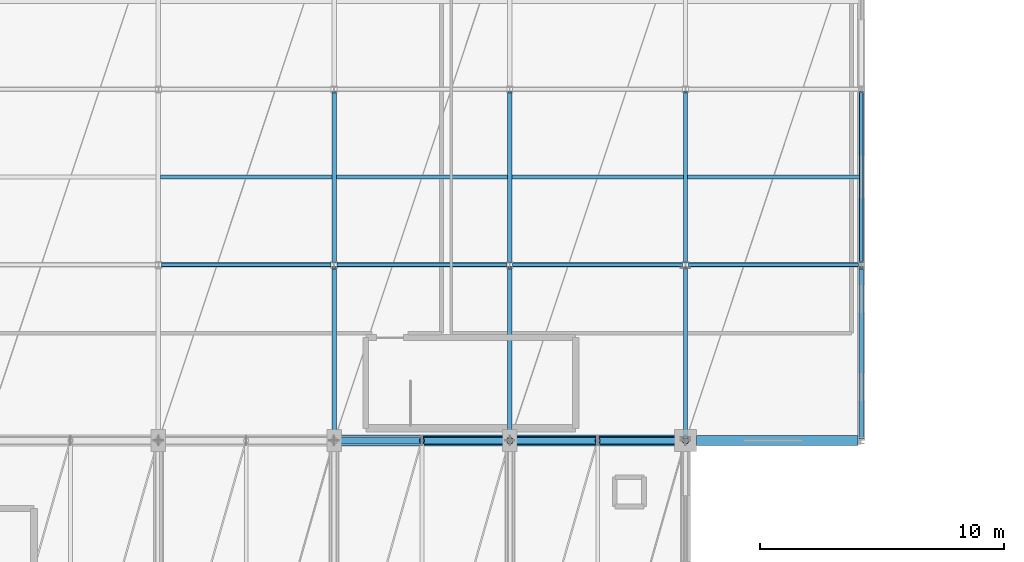
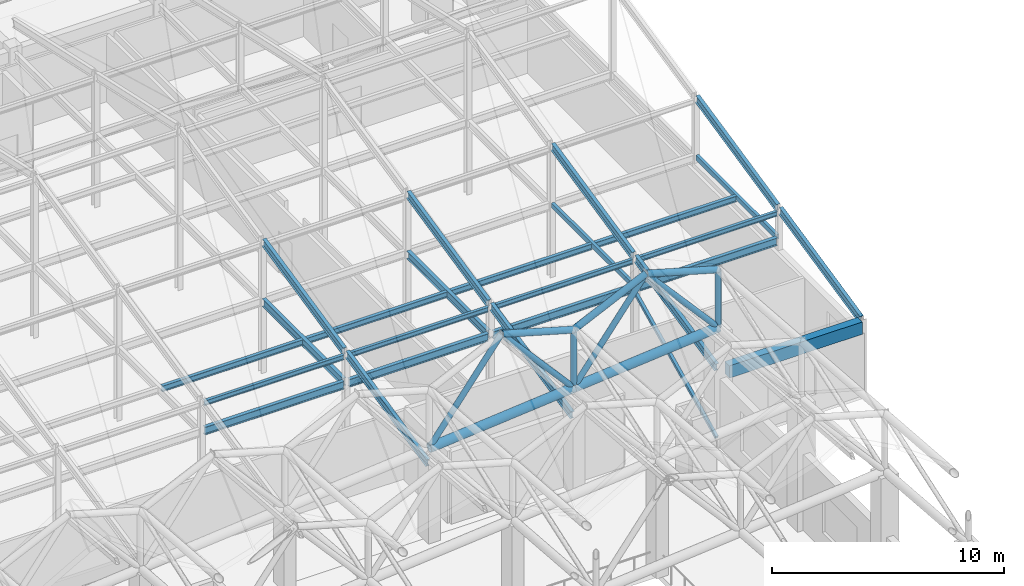
# One storey, part 27 of 113: 21 beams, 16 members.
"""IFC4 building model written with IfcOpenShell, lengths in metres."""

from ifc_helpers import new_model, si_unit, direction, frame, origin, origin_2d, place, context, subcontext, project, spatial, rectangle, hollow_rectangle, hollow_circle, i_section, extrude, material, material_profile, profile_set, type_object, element, save


model = new_model("IFC4")

# Units and contexts
model_context = context("Model", 3, precision=1e-05, world=origin(), true_north=direction((0.0, 1.0)))
body_context = subcontext(model_context, "Body", "Model", "MODEL_VIEW")
ifc_project = project(units=[si_unit("LENGTHUNIT", "METRE"), si_unit("AREAUNIT", "SQUARE_METRE"), si_unit("VOLUMEUNIT", "CUBIC_METRE"), si_unit("PLANEANGLEUNIT", "RADIAN"), si_unit("MASSUNIT", "GRAM", prefix="KILO")], contexts=[model_context])

# Site, building, storey
site_placement = place(None, origin())
site = spatial("IfcSite", under=ifc_project, at=site_placement, CompositionType="ELEMENT")
building_placement = place(site_placement, origin())
building = spatial("IfcBuilding", under=site, at=building_placement, Name="Carrowvane Square Congress Hotel", CompositionType="ELEMENT")
storey_placement = place(building_placement, frame((0.0, 0.0, 15.0)))
storey = spatial("IfcBuildingStorey", under=building, at=storey_placement, Name="L03", CompositionType="ELEMENT", Elevation=15.0)

# Beams
ifc_material_1 = material(Name="Steel S355", Category="steel")
ifc_material_profile_1 = material_profile(ifc_material_1, hollow_rectangle(XDim=0.14990234375, YDim=0.25, WallThickness=0.012451171875, at=origin_2d()), Name="RHS 250x150x12.5")
ifc_profile_set_1 = profile_set([ifc_material_profile_1], Name="Steel S355")
beam_type_1 = type_object("IfcBeamType", Name="BM-ST-RHS250", PredefinedType="SPANDREL", material=ifc_profile_set_1)
for number, where, z_axis, x_axis, name in (
    (1, (62.0, 63.130126953125, 3.81494140625), (0.0, 1.0, 0.0), (-1.0, 0.0, 0.0), "L04 girder 8/J-K"),
    (2, (69.199951171875, 63.130126953125, 3.81494140625), (0.0, 1.0, 0.0), (-1.0, 0.0, 0.0), "L04 girder 9/J-K"),
):
    element("IfcBeam", number, at=place(storey_placement, frame(where, z_axis=z_axis, x_axis=x_axis)), inside=storey, type_object=beam_type_1, Name=name, PredefinedType="SPANDREL", context=body_context, shape_type="SweptSolid", body=[
        extrude(hollow_rectangle(XDim=0.14990234375, YDim=0.25, WallThickness=0.012451171875, at=origin_2d()), origin(), (0.0, 0.0, 1.0), 6.939697265625),
    ])
ifc_material_2 = material(Name="Steel S355", Category="steel")
ifc_material_profile_2 = material_profile(ifc_material_2, i_section(OverallWidth=0.165771484375, OverallDepth=0.306640625, WebThickness=0.006591796875, FlangeThickness=0.01171875, FilletRadius=0.0087890625, at=origin_2d()), Name="UKB 305x165x46")
ifc_profile_set_2 = profile_set([ifc_material_profile_2], Name="Steel S355")
beam_type_2 = type_object("IfcBeamType", Name="BM-ST-UKB305", PredefinedType="JOIST", material=ifc_profile_set_2)
beam_1_placement = place(storey_placement, frame((40.489501953125, 66.60009765625, 3.78662109375), z_axis=(1.0, 0.0, 0.0), x_axis=(0.0, 1.0, 0.0)))
element("IfcBeam", 3, at=beam_1_placement, inside=storey, type_object=beam_type_2, Name="L04 secondary joist 5-6", PredefinedType="JOIST", context=body_context, shape_type="SweptSolid", body=[
    extrude(i_section(OverallWidth=0.165771484375, OverallDepth=0.306640625, WebThickness=0.006591796875, FlangeThickness=0.01171875, FilletRadius=0.0087890625, at=origin_2d()), origin(), (0.0, 0.0, 1.0), 7.02099609375),
])
beam_2_placement = place(storey_placement, frame((47.689453125, 66.60009765625, 3.78662109375), z_axis=(1.0, 0.0, 0.0), x_axis=(0.0, 1.0, 0.0)))
element("IfcBeam", 4, at=beam_2_placement, inside=storey, type_object=beam_type_2, Name="L04 secondary joist 6-7", PredefinedType="JOIST", context=body_context, shape_type="SweptSolid", body=[
    extrude(i_section(OverallWidth=0.165771484375, OverallDepth=0.306640625, WebThickness=0.006591796875, FlangeThickness=0.01171875, FilletRadius=0.0087890625, at=origin_2d()), origin(), (0.0, 0.0, 1.0), 7.021240234375),
])
beam_3_placement = place(storey_placement, frame((54.889404296875, 66.60009765625, 3.78662109375), z_axis=(1.0, 0.0, 0.0), x_axis=(0.0, 1.0, 0.0)))
element("IfcBeam", 5, at=beam_3_placement, inside=storey, type_object=beam_type_2, Name="L04 secondary joist 7-8", PredefinedType="JOIST", context=body_context, shape_type="SweptSolid", body=[
    extrude(i_section(OverallWidth=0.165771484375, OverallDepth=0.306640625, WebThickness=0.006591796875, FlangeThickness=0.01171875, FilletRadius=0.0087890625, at=origin_2d()), origin(), (0.0, 0.0, 1.0), 7.03564453125),
])
beam_4_placement = place(storey_placement, frame((62.074951171875, 66.60009765625, 3.78662109375), z_axis=(1.0, 0.0, 0.0), x_axis=(0.0, 1.0, 0.0)))
element("IfcBeam", 6, at=beam_4_placement, inside=storey, type_object=beam_type_2, Name="L04 secondary joist 8-9", PredefinedType="JOIST", context=body_context, shape_type="SweptSolid", body=[
    extrude(i_section(OverallWidth=0.165771484375, OverallDepth=0.306640625, WebThickness=0.006591796875, FlangeThickness=0.01171875, FilletRadius=0.0087890625, at=origin_2d()), origin(), (0.0, 0.0, 1.0), 7.050048828125),
])
ifc_material_3 = material(Name="Steel S355", Category="steel")
ifc_material_profile_3 = material_profile(ifc_material_3, i_section(OverallWidth=0.1787109375, OverallDepth=0.409423828125, WebThickness=0.0087890625, FlangeThickness=0.014404296875, FilletRadius=0.01025390625, at=origin_2d()), Name="UKB 406x178x67")
ifc_profile_set_3 = profile_set([ifc_material_profile_3], Name="Steel S355")
beam_type_3 = type_object("IfcBeamType", Name="BM-ST-UKB406", PredefinedType="BEAM", material=ifc_profile_set_3)
beam_5_placement = place(storey_placement, frame((40.528076171875, 63.0, 3.7353515625), z_axis=(1.0, 0.0, 0.0), x_axis=(0.0, 1.0, 0.0)))
element("IfcBeam", 7, at=beam_5_placement, inside=storey, type_object=beam_type_3, Name="L04 girder J/5-6", PredefinedType="BEAM", context=body_context, shape_type="SweptSolid", body=[
    extrude(i_section(OverallWidth=0.1787109375, OverallDepth=0.409423828125, WebThickness=0.0087890625, FlangeThickness=0.014404296875, FilletRadius=0.01025390625, at=origin_2d()), origin(), (0.0, 0.0, 1.0), 6.94384765625),
])
for number, where, z_axis, x_axis, name in (
    (8, (47.728271484375, 63.0, 3.7353515625), (1.0, 0.0, 0.0), (0.0, 1.0, 0.0), "L04 girder J/6-7"),
    (9, (54.92822265625, 63.0, 3.7353515625), (1.0, 0.0, 0.0), (0.0, 1.0, 0.0), "L04 girder J/7-8"),
    (10, (62.128173828125, 63.0, 3.7353515625), (1.0, 0.0, 0.0), (0.0, 1.0, 0.0), "L04 girder J/8-9"),
):
    element("IfcBeam", number, at=place(storey_placement, frame(where, z_axis=z_axis, x_axis=x_axis)), inside=storey, type_object=beam_type_3, Name=name, PredefinedType="BEAM", context=body_context, shape_type="SweptSolid", body=[
        extrude(i_section(OverallWidth=0.1787109375, OverallDepth=0.409423828125, WebThickness=0.0087890625, FlangeThickness=0.014404296875, FilletRadius=0.01025390625, at=origin_2d()), origin(), (0.0, 0.0, 1.0), 6.943603515625),
    ])
for number, where, z_axis, x_axis, name in (
    (11, (47.60009765625, 63.130126953125, 3.7353515625), (0.0, 1.0, 0.0), (-1.0, 0.0, 0.0), "L04 girder 6/J-K"),
    (12, (54.800048828125, 63.130126953125, 3.7353515625), (0.0, 1.0, 0.0), (-1.0, 0.0, 0.0), "L04 girder 7/J-K"),
):
    element("IfcBeam", number, at=place(storey_placement, frame(where, z_axis=z_axis, x_axis=x_axis)), inside=storey, type_object=beam_type_3, Name=name, PredefinedType="BEAM", context=body_context, shape_type="SweptSolid", body=[
        extrude(i_section(OverallWidth=0.1787109375, OverallDepth=0.409423828125, WebThickness=0.0087890625, FlangeThickness=0.014404296875, FilletRadius=0.01025390625, at=origin_2d()), origin(), (0.0, 0.0, 1.0), 6.939697265625),
    ])
for number, where, z_axis, x_axis, name in (
    (13, (47.60009765625, 55.919921875, 3.840087890625), (0.0, 0.976671490173, 0.214738911899), (-1.0, 0.0, 0.0), "Spa lantern rafter 5.1"),
    (14, (47.60009765625, 63.1201171875, 5.370361328125), (0.0, 0.976664304443, 0.214771591292), (-1.0, 0.0, 0.0), "Spa lantern rafter 5.2"),
    (15, (54.800048828125, 55.919921875, 3.840087890625), (0.0, 0.976671490173, 0.214738911899), (-1.0, 0.0, 0.0), "Spa lantern rafter 6.1"),
    (16, (54.800048828125, 63.1201171875, 5.370361328125), (0.0, 0.976664304443, 0.214771591292), (-1.0, 0.0, 0.0), "Spa lantern rafter 6.2"),
    (17, (62.0, 55.919921875, 3.840087890625), (0.0, 0.976671490173, 0.214738911899), (-1.0, 0.0, 0.0), "Spa lantern rafter 7.1"),
    (18, (62.0, 63.1201171875, 5.370361328125), (0.0, 0.976664304443, 0.214771591292), (-1.0, 0.0, 0.0), "Spa lantern rafter 7.2"),
    (19, (69.199951171875, 55.919921875, 3.840087890625), (0.0, 0.976671490173, 0.214738911899), (-1.0, 0.0, 0.0), "Spa lantern rafter 8.1"),
    (20, (69.199951171875, 63.1201171875, 5.370361328125), (0.0, 0.976664304443, 0.214771591292), (-1.0, 0.0, 0.0), "Spa lantern rafter 8.2"),
):
    element("IfcBeam", number, at=place(storey_placement, frame(where, z_axis=z_axis, x_axis=x_axis)), inside=storey, type_object=beam_type_3, Name=name, PredefinedType="BEAM", context=body_context, shape_type="SweptSolid", body=[
        extrude(i_section(OverallWidth=0.1787109375, OverallDepth=0.409423828125, WebThickness=0.0087890625, FlangeThickness=0.014404296875, FilletRadius=0.01025390625, at=origin_2d()), origin(), (0.0, 0.0, 1.0), 7.126220703125),
    ])

# Members
ifc_material_4 = material(Name="Steel S355", Category="steel")
ifc_material_profile_4 = material_profile(ifc_material_4, hollow_rectangle(XDim=0.14990234375, YDim=0.14990234375, WallThickness=0.010009765625, at=origin_2d()), Name="SHS 150x150x10")
ifc_profile_set_4 = profile_set([ifc_material_profile_4], Name="Steel S355")
member_type_1 = type_object("IfcMemberType", Name="MEM-BR-SHS150", PredefinedType="BRACE", material=ifc_profile_set_4)
member_1_placement = place(storey_placement, frame((62.0, 55.919921875, 0.14990234375), z_axis=(0.0, 0.901558092587, 0.43265807018), x_axis=(-1.0, 0.0, 0.0)))
element("IfcMember", 21, at=member_1_placement, inside=storey, type_object=member_type_1, Name="L03 vertical lateral brace 9", PredefinedType="BRACE", context=body_context, shape_type="SweptSolid", body=[
    extrude(hollow_rectangle(XDim=0.14990234375, YDim=0.14990234375, WallThickness=0.010009765625, at=origin_2d()), origin(), (0.0, 0.0, 1.0), 7.719970703125),
])
ifc_material_5 = material(Name="Steel S355", Category="steel")
ifc_material_profile_5 = material_profile(ifc_material_5, i_section(OverallWidth=0.146484375, OverallDepth=0.256103515625, WebThickness=0.00634765625, FlangeThickness=0.010986328125, FilletRadius=0.007568359375, at=origin_2d()), Name="UKB 254x146x37")
ifc_profile_set_5 = profile_set([ifc_material_profile_5], Name="Steel S355")
member_type_2 = type_object("IfcMemberType", Name="MEM-PR-UKB254", PredefinedType="PURLIN", material=ifc_profile_set_5)
for number, where, z_axis, x_axis, name in (
    (22, (40.52001953125, 63.0, 5.1904296875), (1.0, 0.0, 0.0), (0.0, 1.0, 0.0), "Spa roof purlin 1.4"),
    (23, (47.719970703125, 63.0, 5.1904296875), (1.0, 0.0, 0.0), (0.0, 1.0, 0.0), "Spa roof purlin 1.5"),
    (24, (54.919921875, 63.0, 5.1904296875), (1.0, 0.0, 0.0), (0.0, 1.0, 0.0), "Spa roof purlin 1.6"),
    (25, (62.1201171875, 63.0, 5.1904296875), (1.0, 0.0, 0.0), (0.0, 1.0, 0.0), "Spa roof purlin 1.7"),
):
    element("IfcMember", number, at=place(storey_placement, frame(where, z_axis=z_axis, x_axis=x_axis)), inside=storey, type_object=member_type_2, Name=name, PredefinedType="PURLIN", context=body_context, shape_type="SweptSolid", body=[
        extrude(i_section(OverallWidth=0.146484375, OverallDepth=0.256103515625, WebThickness=0.00634765625, FlangeThickness=0.010986328125, FilletRadius=0.007568359375, at=origin_2d()), origin(), (0.0, 0.0, 1.0), 6.9599609375),
    ])
ifc_material_6 = material(Name="Steel S355", Category="steel")
ifc_material_profile_6 = material_profile(ifc_material_6, hollow_circle(Radius=0.136474609375, WallThickness=0.01611328125, at=origin_2d()), Name="CHS 273.0x16")
ifc_profile_set_6 = profile_set([ifc_material_profile_6], Name="Steel S355")
member_type_3 = type_object("IfcMemberType", Name="MEM-ST-CHS273", PredefinedType="STRUT", material=ifc_profile_set_6)
for number, where, z_axis, x_axis, name in (
    (26, (54.800048828125, 55.800048828125, 5.36279296875), (0.0, 0.0, 1.0), (1.0, 0.0, 0.0), "Space-frame vertical post 553"),
    (27, (62.0, 55.800048828125, 6.02001953125), (0.0, 0.0, 1.0), (1.0, 0.0, 0.0), "Space-frame vertical post 561"),
):
    element("IfcMember", number, at=place(storey_placement, frame(where, z_axis=z_axis, x_axis=x_axis)), inside=storey, type_object=member_type_3, Name=name, PredefinedType="STRUT", context=body_context, shape_type="SweptSolid", body=[
        extrude(hollow_circle(Radius=0.136474609375, WallThickness=0.01611328125, at=origin_2d()), origin(), (0.0, 0.0, 1.0), 3.050048828125),
    ])
ifc_material_7 = material(Name="Steel S355", Category="steel")
ifc_material_profile_7 = material_profile(ifc_material_7, hollow_circle(Radius=0.161865234375, WallThickness=0.01611328125, at=origin_2d()), Name="CHS 323.9x16")
ifc_profile_set_7 = profile_set([ifc_material_profile_7], Name="Steel S355")
member_type_4 = type_object("IfcMemberType", Name="MEM-TC-CHS324", PredefinedType="CHORD", material=ifc_profile_set_7)
member_2_placement = place(storey_placement, frame((51.199951171875, 55.800048828125, 9.4443359375), z_axis=(0.961319496164, 0.0, -0.275435702651), x_axis=(0.0, 1.0, 0.0)))
element("IfcMember", 28, at=member_2_placement, inside=storey, type_object=member_type_4, Name="Space-frame folded top chord 441", PredefinedType="CHORD", context=body_context, shape_type="SweptSolid", body=[
    extrude(hollow_circle(Radius=0.161865234375, WallThickness=0.01611328125, at=origin_2d()), origin(), (0.0, 0.0, 1.0), 3.744873046875),
])
member_3_placement = place(storey_placement, frame((54.800048828125, 55.800048828125, 8.412841796875), z_axis=(0.905357886231, 0.0, 0.424649382243), x_axis=(0.0, 1.0, 0.0)))
element("IfcMember", 29, at=member_3_placement, inside=storey, type_object=member_type_4, Name="Space-frame folded top chord 445", PredefinedType="CHORD", context=body_context, shape_type="SweptSolid", body=[
    extrude(hollow_circle(Radius=0.161865234375, WallThickness=0.01611328125, at=origin_2d()), origin(), (0.0, 0.0, 1.0), 3.97607421875),
])
member_4_placement = place(storey_placement, frame((58.39990234375, 55.800048828125, 10.101318359375), z_axis=(0.961336756204, 0.0, -0.275375454917), x_axis=(0.0, 1.0, 0.0)))
element("IfcMember", 30, at=member_4_placement, inside=storey, type_object=member_type_4, Name="Space-frame folded top chord 446", PredefinedType="CHORD", context=body_context, shape_type="SweptSolid", body=[
    extrude(hollow_circle(Radius=0.161865234375, WallThickness=0.01611328125, at=origin_2d()), origin(), (0.0, 0.0, 1.0), 3.744873046875),
])
ifc_material_8 = material(Name="Steel S355", Category="steel")
ifc_material_profile_8 = material_profile(ifc_material_8, hollow_circle(Radius=0.228515625, WallThickness=0.02490234375, at=origin_2d()), Name="CHS 457.0x25")
ifc_profile_set_8 = profile_set([ifc_material_profile_8], Name="Steel S355")
member_type_5 = type_object("IfcMemberType", Name="MEM-TC-CHS457", PredefinedType="CHORD", material=ifc_profile_set_8)
for number, where, z_axis, x_axis, name in (
    (31, (47.60009765625, 55.800048828125, 4.705810546875), (0.99586270327, 0.0, 0.090870656624), (0.0, 1.0, 0.0), "Space-frame cross bottom chord 439"),
    (32, (54.800048828125, 55.800048828125, 5.36279296875), (0.995859646859, 0.0, 0.090904145988), (0.0, 1.0, 0.0), "Space-frame cross bottom chord 444"),
):
    element("IfcMember", number, at=place(storey_placement, frame(where, z_axis=z_axis, x_axis=x_axis)), inside=storey, type_object=member_type_5, Name=name, PredefinedType="CHORD", context=body_context, shape_type="SweptSolid", body=[
        extrude(hollow_circle(Radius=0.228515625, WallThickness=0.02490234375, at=origin_2d()), origin(), (0.0, 0.0, 1.0), 7.22998046875),
    ])
ifc_material_9 = material(Name="Steel S355", Category="steel")
ifc_material_profile_9 = material_profile(ifc_material_9, hollow_circle(Radius=0.136474609375, WallThickness=0.01611328125, at=origin_2d()), Name="CHS 273.0x16")
ifc_profile_set_9 = profile_set([ifc_material_profile_9], Name="Steel S355")
member_type_6 = type_object("IfcMemberType", Name="MEM-TD-CHS273", PredefinedType="BRACE", material=ifc_profile_set_9)
member_5_placement = place(storey_placement, frame((47.60009765625, 55.800048828125, 4.705810546875), z_axis=(0.604931384673, 0.0, 0.796277602246), x_axis=(0.0, 1.0, 0.0)))
element("IfcMember", 33, at=member_5_placement, inside=storey, type_object=member_type_6, Name="Space-frame space diagonal 442", PredefinedType="BRACE", context=body_context, shape_type="SweptSolid", body=[
    extrude(hollow_circle(Radius=0.136474609375, WallThickness=0.01611328125, at=origin_2d()), origin(), (0.0, 0.0, 1.0), 5.950927734375),
])
member_6_placement = place(storey_placement, frame((54.800048828125, 55.800048828125, 5.36279296875), z_axis=(-0.661491064627, 0.0, 0.749953046143), x_axis=(0.0, -1.0, 0.0)))
element("IfcMember", 34, at=member_6_placement, inside=storey, type_object=member_type_6, Name="Space-frame space diagonal 443", PredefinedType="BRACE", context=body_context, shape_type="SweptSolid", body=[
    extrude(hollow_circle(Radius=0.136474609375, WallThickness=0.01611328125, at=origin_2d()), origin(), (0.0, 0.0, 1.0), 5.4423828125),
])
member_7_placement = place(storey_placement, frame((54.800048828125, 55.800048828125, 5.36279296875), z_axis=(0.604931384673, 0.0, 0.796277602246), x_axis=(0.0, 1.0, 0.0)))
element("IfcMember", 35, at=member_7_placement, inside=storey, type_object=member_type_6, Name="Space-frame space diagonal 447", PredefinedType="BRACE", context=body_context, shape_type="SweptSolid", body=[
    extrude(hollow_circle(Radius=0.136474609375, WallThickness=0.01611328125, at=origin_2d()), origin(), (0.0, 0.0, 1.0), 5.950927734375),
])
member_8_placement = place(storey_placement, frame((62.0, 55.800048828125, 6.02001953125), z_axis=(-0.66151331907, 0.0, 0.749933416173), x_axis=(0.0, -1.0, 0.0)))
element("IfcMember", 36, at=member_8_placement, inside=storey, type_object=member_type_6, Name="Space-frame space diagonal 448", PredefinedType="BRACE", context=body_context, shape_type="SweptSolid", body=[
    extrude(hollow_circle(Radius=0.136474609375, WallThickness=0.01611328125, at=origin_2d()), origin(), (0.0, 0.0, 1.0), 5.442138671875),
])

# Beam
ifc_material_10 = material(Name="Concrete C35/45", Category="concrete")
ifc_material_profile_10 = material_profile(ifc_material_10, rectangle(XDim=0.39990234375, YDim=0.64990234375, at=origin_2d()), Name="RC 400x650")
ifc_profile_set_10 = profile_set([ifc_material_profile_10], Name="Concrete C35/45")
beam_type_4 = type_object("IfcBeamType", Name="SP-RC-400x650", PredefinedType="SPANDREL", material=ifc_profile_set_10)
beam_6_placement = place(storey_placement, frame((62.449951171875, 55.800048828125, 3.614990234375), z_axis=(1.0, 0.0, 0.0), x_axis=(0.0, 1.0, 0.0)))
element("IfcBeam", 37, at=beam_6_placement, inside=storey, type_object=beam_type_4, Name="L04 girder H/8-9", PredefinedType="SPANDREL", context=body_context, shape_type="SweptSolid", body=[
    extrude(rectangle(XDim=0.39990234375, YDim=0.64990234375, at=origin_2d()), origin(), (0.0, 0.0, 1.0), 6.621826171875),
])

save(model, "model.ifc")
